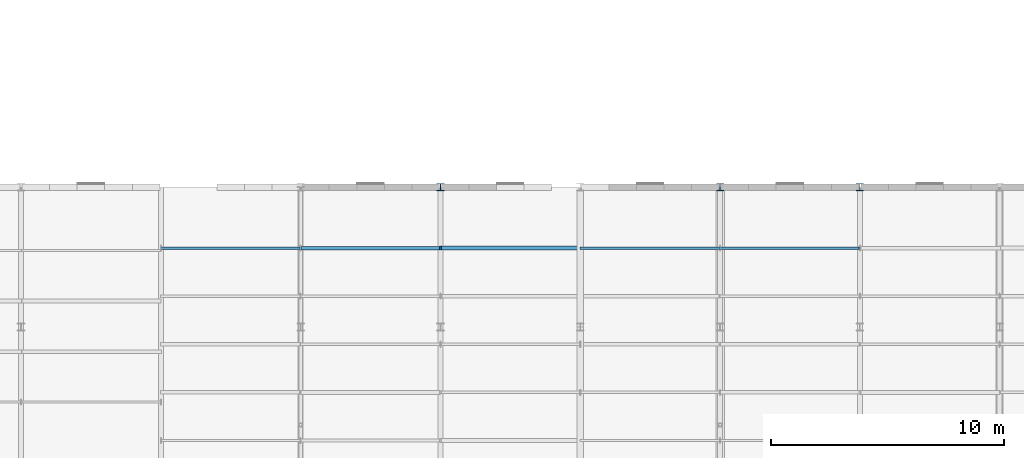
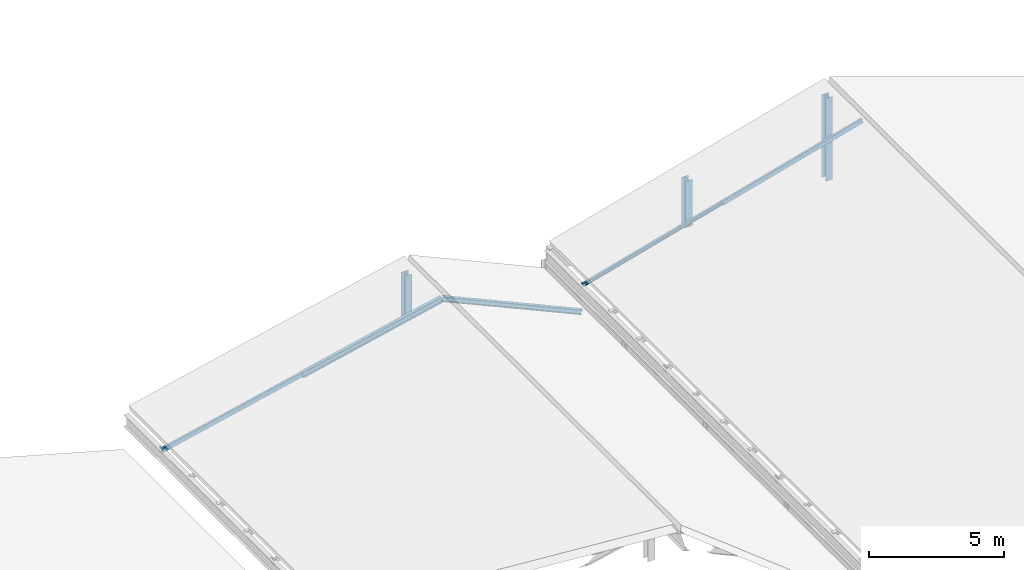
# One storey, part 13 of 74: 8 members.
"""IFC4 building model written with IfcOpenShell, lengths in metres."""

from ifc_helpers import new_model, si_unit, direction, frame, origin, origin_2d, place, context, subcontext, project, spatial, hollow_rectangle, i_section, extrude, material, material_profile, profile_set, type_object, element, save


model = new_model("IFC4")

# Units and contexts
model_context = context("Model", 3, precision=1e-05, world=origin(), true_north=direction((0.0, 1.0)))
body_context = subcontext(model_context, "Body", "Model", "MODEL_VIEW")
ifc_project = project(units=[si_unit("LENGTHUNIT", "METRE"), si_unit("AREAUNIT", "SQUARE_METRE"), si_unit("VOLUMEUNIT", "CUBIC_METRE"), si_unit("PLANEANGLEUNIT", "RADIAN"), si_unit("MASSUNIT", "GRAM", prefix="KILO")], contexts=[model_context])

# Site, building, storey
site_placement = place(None, origin())
site = spatial("IfcSite", under=ifc_project, at=site_placement, CompositionType="ELEMENT")
building_placement = place(site_placement, origin())
building = spatial("IfcBuilding", under=site, at=building_placement, Name="Siltcreek Boulevard Central Fire Station", CompositionType="ELEMENT")
storey_placement = place(building_placement, frame((0.0, 0.0, 25.199951171875)))
storey = spatial("IfcBuildingStorey", under=building, at=storey_placement, Name="RF", CompositionType="ELEMENT", Elevation=25.199951171875)

# Members
ifc_material_1 = material(Name="Structural steel ASTM A992 Gr50", Category="steel")
ifc_material_profile_1 = material_profile(ifc_material_1, i_section(OverallWidth=0.304931640625, OverallDepth=0.30810546875, WebThickness=0.010009765625, FlangeThickness=0.015380859375, at=origin_2d()), Name="W310X97")
ifc_profile_set_1 = profile_set([ifc_material_profile_1], Name="Structural steel ASTM A992 Gr50")
member_type_1 = type_object("IfcMemberType", Name="CH_W310X97", PredefinedType="CHORD", material=ifc_profile_set_1)
member_1_placement = place(storey_placement, frame((78.0, 54.0, -11.199951171875), z_axis=(0.0, 0.0, 1.0), x_axis=(1.0, 0.0, 0.0)))
element("IfcMember", 1, at=member_1_placement, inside=storey, type_object=member_type_1, Name="Roof bearing truss post 0730", PredefinedType="CHORD", context=body_context, shape_type="SweptSolid", body=[
    extrude(i_section(OverallWidth=0.304931640625, OverallDepth=0.30810546875, WebThickness=0.010009765625, FlangeThickness=0.015380859375, at=origin_2d()), origin(), (0.0, 0.0, 1.0), 2.012451171875),
])
member_2_placement = place(storey_placement, frame((90.0, 54.0, -11.199951171875), z_axis=(0.0, 0.0, 1.0), x_axis=(1.0, 0.0, 0.0)))
element("IfcMember", 2, at=member_2_placement, inside=storey, type_object=member_type_1, Name="Roof bearing truss post 0743", PredefinedType="CHORD", context=body_context, shape_type="SweptSolid", body=[
    extrude(i_section(OverallWidth=0.304931640625, OverallDepth=0.30810546875, WebThickness=0.010009765625, FlangeThickness=0.015380859375, at=origin_2d()), origin(), (0.0, 0.0, 1.0), 2.103271484375),
])
member_3_placement = place(storey_placement, frame((96.0, 54.0, -11.199951171875), z_axis=(0.0, 0.0, 1.0), x_axis=(1.0, 0.0, 0.0)))
element("IfcMember", 3, at=member_3_placement, inside=storey, type_object=member_type_1, Name="Roof bearing truss post 0750", PredefinedType="CHORD", context=body_context, shape_type="SweptSolid", body=[
    extrude(i_section(OverallWidth=0.304931640625, OverallDepth=0.30810546875, WebThickness=0.010009765625, FlangeThickness=0.015380859375, at=origin_2d()), origin(), (0.0, 0.0, 1.0), 3.753173828125),
])
ifc_material_2 = material(Name="Structural steel ASTM A500 GrC", Category="steel")
ifc_material_profile_2 = material_profile(ifc_material_2, hollow_rectangle(XDim=0.10009765625, YDim=0.199951171875, WallThickness=0.00634765625, at=origin_2d()), Name="HSS200X100X6.4")
ifc_profile_set_2 = profile_set([ifc_material_profile_2], Name="Structural steel ASTM A500 GrC")
member_type_2 = type_object("IfcMemberType", Name="PR_HSS200X100", PredefinedType="PURLIN", material=ifc_profile_set_2)
member_4_placement = place(storey_placement, frame((66.010009765625, 51.3857421875, -11.42041015625), z_axis=(0.975611035589, 0.0, 0.219506508416), x_axis=(0.0, 1.0, 0.0)))
element("IfcMember", 4, at=member_4_placement, inside=storey, type_object=member_type_2, Name="Sloped roof purlin PR-0087", PredefinedType="PURLIN", context=body_context, shape_type="SweptSolid", body=[
    extrude(hollow_rectangle(XDim=0.10009765625, YDim=0.199951171875, WallThickness=0.00634765625, at=origin_2d()), origin(), (0.0, 0.0, 1.0), 6.12939453125),
])
member_5_placement = place(storey_placement, frame((90.010009765625, 51.3857421875, -8.624267578125), z_axis=(0.964203883152, 0.0, 0.265161972602), x_axis=(0.0, 1.0, 0.0)))
element("IfcMember", 5, at=member_5_placement, inside=storey, type_object=member_type_2, Name="Sloped roof purlin PR-0139", PredefinedType="PURLIN", context=body_context, shape_type="SweptSolid", body=[
    extrude(hollow_rectangle(XDim=0.10009765625, YDim=0.199951171875, WallThickness=0.00634765625, at=origin_2d()), origin(), (0.0, 0.0, 1.0), 6.201904296875),
])
ifc_material_profile_3 = material_profile(ifc_material_1, i_section(OverallWidth=0.10205078125, OverallDepth=0.159912109375, WebThickness=0.006591796875, FlangeThickness=0.01025390625, at=origin_2d()), Name="W150X24")
ifc_profile_set_3 = profile_set([ifc_material_profile_3], Name="Structural steel ASTM A992 Gr50")
member_type_3 = type_object("IfcMemberType", Name="PR_W150X24", PredefinedType="PURLIN", material=ifc_profile_set_3)
member_6_placement = place(storey_placement, frame((84.010009765625, 51.3857421875, -10.25341796875), z_axis=(0.964203883152, 0.0, 0.265161972602), x_axis=(0.0, 1.0, 0.0)))
element("IfcMember", 6, at=member_6_placement, inside=storey, type_object=member_type_3, Name="Sloped roof purlin PR-0126", PredefinedType="PURLIN", context=body_context, shape_type="SweptSolid", body=[
    extrude(i_section(OverallWidth=0.10205078125, OverallDepth=0.159912109375, WebThickness=0.006591796875, FlangeThickness=0.01025390625, at=origin_2d()), origin(), (0.0, 0.0, 1.0), 6.201904296875),
])
ifc_material_profile_4 = material_profile(ifc_material_1, i_section(OverallWidth=0.1650390625, OverallDepth=0.200927734375, WebThickness=0.006103515625, FlangeThickness=0.01025390625, at=origin_2d()), Name="W200X36")
ifc_profile_set_4 = profile_set([ifc_material_profile_4], Name="Structural steel ASTM A992 Gr50")
member_type_4 = type_object("IfcMemberType", Name="PR_W200X36", PredefinedType="PURLIN", material=ifc_profile_set_4)
member_7_placement = place(storey_placement, frame((78.010009765625, 51.3857421875, -8.752685546875), z_axis=(0.911911752359, 0.0, -0.410386349565), x_axis=(0.0, 1.0, 0.0)))
element("IfcMember", 7, at=member_7_placement, inside=storey, type_object=member_type_4, Name="Sloped roof purlin PR-0113", PredefinedType="PURLIN", context=body_context, shape_type="SweptSolid", body=[
    extrude(i_section(OverallWidth=0.1650390625, OverallDepth=0.200927734375, WebThickness=0.006103515625, FlangeThickness=0.01025390625, at=origin_2d()), origin(), (0.0, 0.0, 1.0), 6.5576171875),
])
ifc_material_profile_5 = material_profile(ifc_material_1, i_section(OverallWidth=0.14697265625, OverallDepth=0.261962890625, WebThickness=0.006591796875, FlangeThickness=0.01123046875, at=origin_2d()), Name="W250X39")
ifc_profile_set_5 = profile_set([ifc_material_profile_5], Name="Structural steel ASTM A992 Gr50")
member_type_5 = type_object("IfcMemberType", Name="PR_W250X39", PredefinedType="PURLIN", material=ifc_profile_set_5)
member_8_placement = place(storey_placement, frame((72.010009765625, 51.3857421875, -10.102294921875), z_axis=(0.975611035589, 0.0, 0.219506508416), x_axis=(0.0, 1.0, 0.0)))
element("IfcMember", 8, at=member_8_placement, inside=storey, type_object=member_type_5, Name="Sloped roof purlin PR-0100", PredefinedType="PURLIN", context=body_context, shape_type="SweptSolid", body=[
    extrude(i_section(OverallWidth=0.14697265625, OverallDepth=0.261962890625, WebThickness=0.006591796875, FlangeThickness=0.01123046875, at=origin_2d()), origin(), (0.0, 0.0, 1.0), 6.12939453125),
])

save(model, "model.ifc")
